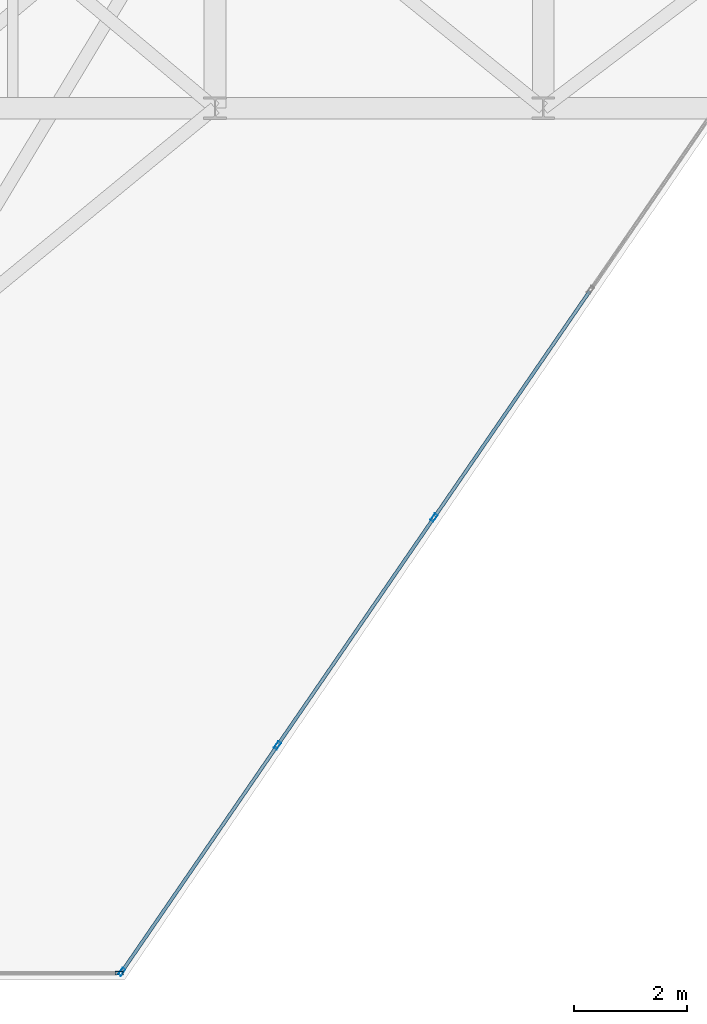
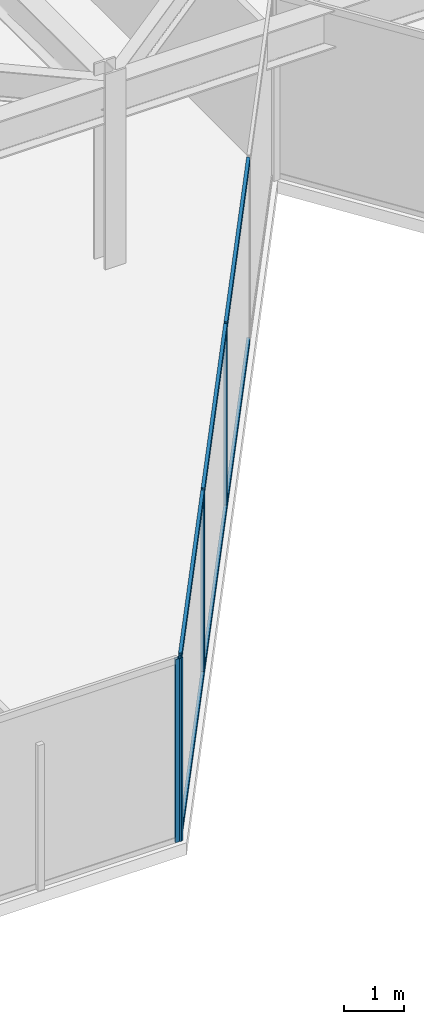
# One storey, part 4 of 21: 10 members, 2 elements without a shape of their own.
"""IFC4 building model written with IfcOpenShell, lengths in metres."""

from ifc_helpers import new_model, si_unit, direction, frame, origin, origin_2d, place, context, subcontext, project, spatial, hollow_rectangle, extrude, material, layer, layer_set, material_profile, profile_set, type_object, element, aggregate, save


model = new_model("IFC4")

# Units and contexts
model_context = context("Model", 3, precision=1e-05, world=origin(), true_north=direction((0.0, 1.0)))
body_context = subcontext(model_context, "Body", "Model", "MODEL_VIEW")
ifc_project = project(units=[si_unit("LENGTHUNIT", "METRE"), si_unit("AREAUNIT", "SQUARE_METRE"), si_unit("VOLUMEUNIT", "CUBIC_METRE"), si_unit("PLANEANGLEUNIT", "RADIAN"), si_unit("MASSUNIT", "GRAM", prefix="KILO")], contexts=[model_context])

# Site, building, storey
site_placement = place(None, origin())
site = spatial("IfcSite", under=ifc_project, at=site_placement, CompositionType="ELEMENT")
building_placement = place(site_placement, origin())
building = spatial("IfcBuilding", under=site, at=building_placement, Name="Kravanh Interchange Tower", CompositionType="ELEMENT")
storey_placement = place(building_placement, frame((0.0, 0.0, 200.5)))
storey = spatial("IfcBuildingStorey", under=building, at=storey_placement, Name="L48", CompositionType="ELEMENT", Elevation=200.5)

# Curtain wall, members
ifc_material_1 = material(Name="Anodised Bronze Aluminium", Category="aluminium")
ifc_layer = layer(ifc_material_1, 0.179931640625)
ifc_layer_set = layer_set([ifc_layer], Name="Unitised Curtain Wall System CW-Z3 Upper Office")
curtain_wall_type = type_object("IfcCurtainWallType", Name="Unitised Curtain Wall System CW-Z3 Upper Office", PredefinedType="NOTDEFINED", material=ifc_layer_set)
curtain_wall_1_placement = place(storey_placement, origin())
curtain_wall_1 = element("IfcCurtainWall", 1, at=curtain_wall_1_placement, inside=storey, type_object=curtain_wall_type, Name="L48 Unitised Curtain Wall CW-L48-04", PredefinedType="NOTDEFINED")
ifc_material_2 = material(Name="Anodised Bronze Aluminium", Category="aluminium")
ifc_material_profile_1 = material_profile(ifc_material_2, hollow_rectangle(XDim=0.06005859375, YDim=0.139892578125, WallThickness=0.00390625, at=origin_2d()), Name="ALU60X140X4")
ifc_profile_set_1 = profile_set([ifc_material_profile_1], Name="Anodised Bronze Aluminium")
member_type_1 = type_object("IfcMemberType", Name="Curtain Wall Mullion ALU60X140X4 Bronze", PredefinedType="MULLION", material=ifc_profile_set_1)
member_1_placement = place(storey_placement, frame((36.66845703125, 19.56591796875, 0.0), z_axis=(0.0, 0.0, 1.0), x_axis=(0.824042223035, -0.566528388217, 0.0)))
member_1 = element("IfcMember", 2, at=member_1_placement, type_object=member_type_1, Name="CW-Z3 mullion 3", PredefinedType="MULLION", context=body_context, shape_type="SweptSolid", body=[
    extrude(hollow_rectangle(XDim=0.06005859375, YDim=0.139892578125, WallThickness=0.00390625, at=origin_2d()), origin(), (0.0, 0.0, 1.0), 3.7548828125),
])
member_2_placement = place(storey_placement, frame((33.902587890625, 15.54296875, 0.0), z_axis=(0.0, 0.0, 1.0), x_axis=(0.824042223035, -0.566528388217, 0.0)))
member_2 = element("IfcMember", 3, at=member_2_placement, type_object=member_type_1, Name="CW-Z3 mullion 4", PredefinedType="MULLION", context=body_context, shape_type="SweptSolid", body=[
    extrude(hollow_rectangle(XDim=0.06005859375, YDim=0.139892578125, WallThickness=0.00390625, at=origin_2d()), origin(), (0.0, 0.0, 1.0), 3.7548828125),
])
member_3_placement = place(storey_placement, frame((31.15380859375, 11.544677734375, 0.0), z_axis=(0.0, 0.0, 1.0), x_axis=(0.824042223035, -0.566528388217, 0.0)))
member_3 = element("IfcMember", 4, at=member_3_placement, type_object=member_type_1, Name="CW-Z3 mullion 5", PredefinedType="MULLION", context=body_context, shape_type="SweptSolid", body=[
    extrude(hollow_rectangle(XDim=0.06005859375, YDim=0.139892578125, WallThickness=0.00390625, at=origin_2d()), origin(), (0.0, 0.0, 1.0), 3.7548828125),
])

# Curtain wall, member
curtain_wall_2_placement = place(storey_placement, origin())
curtain_wall_2 = element("IfcCurtainWall", 5, at=curtain_wall_2_placement, inside=storey, type_object=curtain_wall_type, Name="L48 Unitised Curtain Wall CW-L48-05", PredefinedType="NOTDEFINED")
member_4_placement = place(storey_placement, frame((31.10693359375, 11.52001953125, 0.0), z_axis=(0.0, 0.0, 1.0), x_axis=(0.0, -1.0, 0.0)))
member_4 = element("IfcMember", 6, at=member_4_placement, type_object=member_type_1, Name="CW-Z3 mullion 1", PredefinedType="MULLION", context=body_context, shape_type="SweptSolid", body=[
    extrude(hollow_rectangle(XDim=0.06005859375, YDim=0.139892578125, WallThickness=0.00390625, at=origin_2d()), origin(), (0.0, 0.0, 1.0), 3.7548828125),
])
aggregate(curtain_wall_2, [member_4])

# Member
ifc_material_3 = material(Name="Anodised Bronze Aluminium", Category="aluminium")
ifc_material_profile_2 = material_profile(ifc_material_3, hollow_rectangle(XDim=0.06005859375, YDim=0.139892578125, WallThickness=0.00390625, at=origin_2d()), Name="ALU60X140X4")
ifc_profile_set_2 = profile_set([ifc_material_profile_2], Name="Anodised Bronze Aluminium")
member_type_2 = type_object("IfcMemberType", Name="Curtain Wall Transom ALU60X140X4 Bronze", PredefinedType="USERDEFINED", material=ifc_profile_set_2)
member_5_placement = place(storey_placement, frame((39.417236328125, 23.564208984375, 0.030029296875), z_axis=(-0.566503037389, -0.824059651135, 0.0), x_axis=(0.824059651135, -0.566503037389, 0.0)))
member_5 = element("IfcMember", 7, at=member_5_placement, type_object=member_type_2, Name="CW-Z3 transom 2.1", ObjectType="TRANSOM", PredefinedType="USERDEFINED", context=body_context, shape_type="SweptSolid", body=[
    extrude(hollow_rectangle(XDim=0.06005859375, YDim=0.139892578125, WallThickness=0.00390625, at=origin_2d()), origin(), (0.0, 0.0, 1.0), 4.822021484375),
])

member_6_placement = place(storey_placement, frame((39.417236328125, 23.564208984375, 3.72509765625), z_axis=(-0.566503037389, -0.824059651135, 0.0), x_axis=(0.824059651135, -0.566503037389, 0.0)))
member_6 = element("IfcMember", 8, at=member_6_placement, type_object=member_type_2, Name="CW-Z3 transom 2.2", ObjectType="TRANSOM", PredefinedType="USERDEFINED", context=body_context, shape_type="SweptSolid", body=[
    extrude(hollow_rectangle(XDim=0.06005859375, YDim=0.139892578125, WallThickness=0.00390625, at=origin_2d()), origin(), (0.0, 0.0, 1.0), 4.822021484375),
])

member_7_placement = place(storey_placement, frame((36.6513671875, 19.541259765625, 0.030029296875), z_axis=(-0.566503037389, -0.824059651135, 0.0), x_axis=(0.824059651135, -0.566503037389, 0.0)))
member_7 = element("IfcMember", 9, at=member_7_placement, type_object=member_type_2, Name="CW-Z3 transom 3.1", ObjectType="TRANSOM", PredefinedType="USERDEFINED", context=body_context, shape_type="SweptSolid", body=[
    extrude(hollow_rectangle(XDim=0.06005859375, YDim=0.139892578125, WallThickness=0.00390625, at=origin_2d()), origin(), (0.0, 0.0, 1.0), 4.822021484375),
])

member_8_placement = place(storey_placement, frame((36.6513671875, 19.541259765625, 3.72509765625), z_axis=(-0.566503037389, -0.824059651135, 0.0), x_axis=(0.824059651135, -0.566503037389, 0.0)))
member_8 = element("IfcMember", 10, at=member_8_placement, type_object=member_type_2, Name="CW-Z3 transom 3.2", ObjectType="TRANSOM", PredefinedType="USERDEFINED", context=body_context, shape_type="SweptSolid", body=[
    extrude(hollow_rectangle(XDim=0.06005859375, YDim=0.139892578125, WallThickness=0.00390625, at=origin_2d()), origin(), (0.0, 0.0, 1.0), 4.822021484375),
])

member_9_placement = place(storey_placement, frame((33.8857421875, 15.518310546875, 0.030029296875), z_axis=(-0.566518012045, -0.824049356549, 0.0), x_axis=(0.824049356549, -0.566518012045, 0.0)))
member_9 = element("IfcMember", 11, at=member_9_placement, type_object=member_type_2, Name="CW-Z3 transom 4.1", ObjectType="TRANSOM", PredefinedType="USERDEFINED", context=body_context, shape_type="SweptSolid", body=[
    extrude(hollow_rectangle(XDim=0.06005859375, YDim=0.139892578125, WallThickness=0.00390625, at=origin_2d()), origin(), (0.0, 0.0, 1.0), 4.792236328125),
])

member_10_placement = place(storey_placement, frame((33.8857421875, 15.518310546875, 3.72509765625), z_axis=(-0.566518012045, -0.824049356549, 0.0), x_axis=(0.824049356549, -0.566518012045, 0.0)))
member_10 = element("IfcMember", 12, at=member_10_placement, type_object=member_type_2, Name="CW-Z3 transom 4.2", ObjectType="TRANSOM", PredefinedType="USERDEFINED", context=body_context, shape_type="SweptSolid", body=[
    extrude(hollow_rectangle(XDim=0.06005859375, YDim=0.139892578125, WallThickness=0.00390625, at=origin_2d()), origin(), (0.0, 0.0, 1.0), 4.792236328125),
])

aggregate(curtain_wall_1, [member_1, member_2, member_3, member_5, member_6, member_7, member_8, member_9, member_10])

save(model, "model.ifc")
